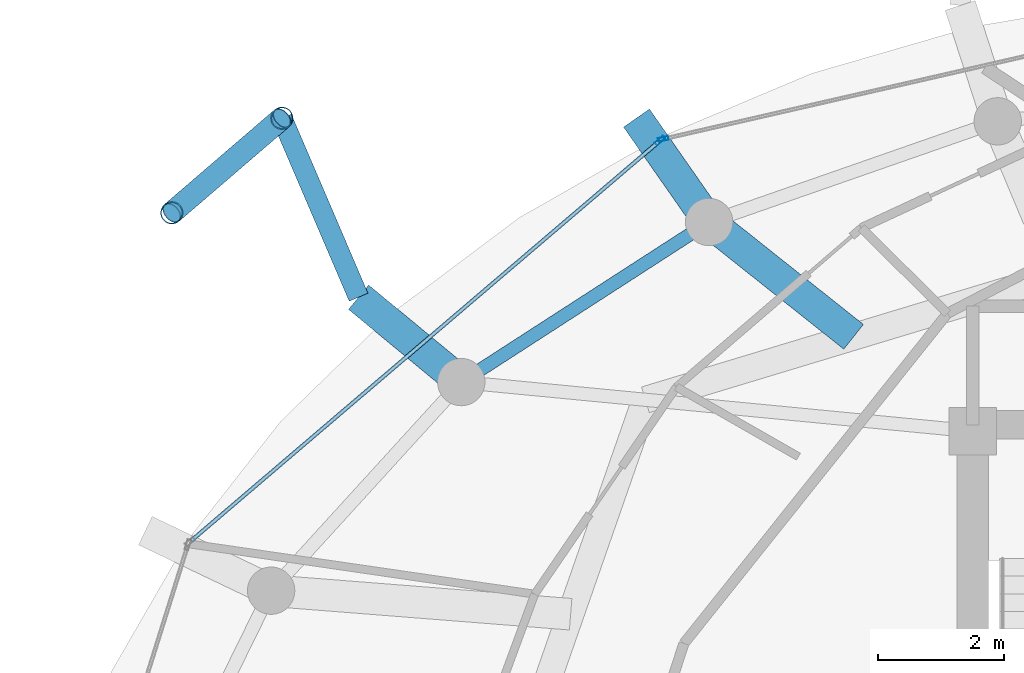
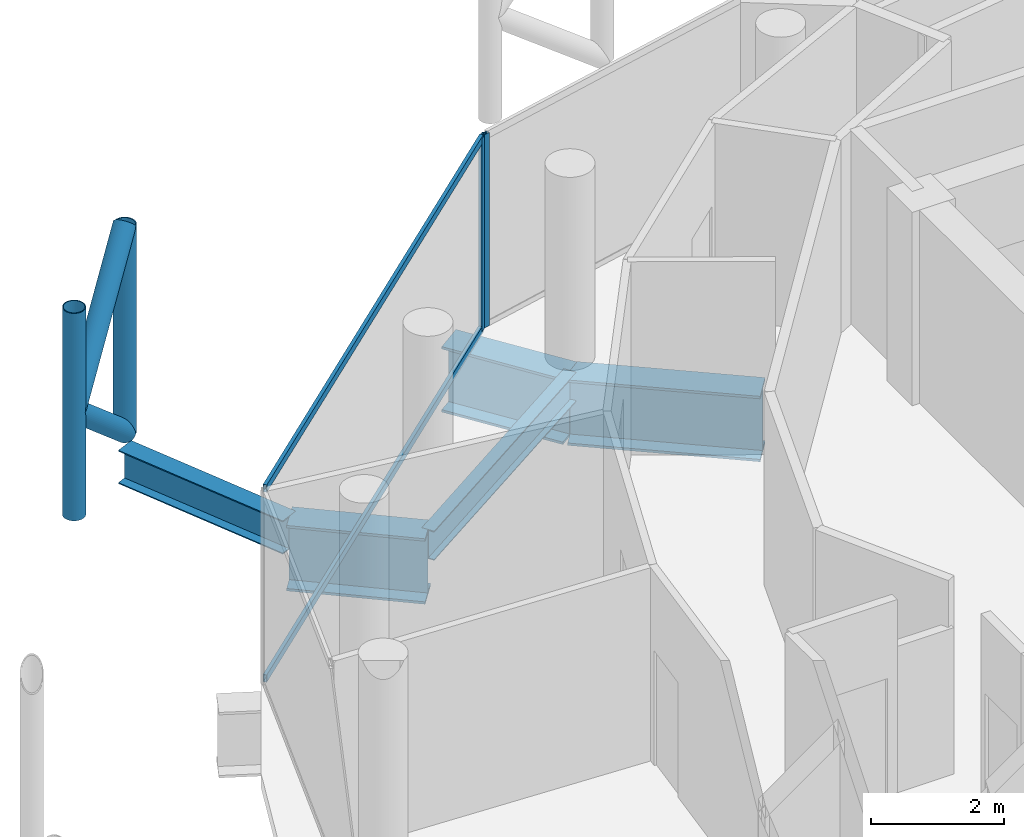
# One storey, part 16 of 25: 8 members, 5 beams, 2 elements without a shape of their own.
"""IFC4 building model written with IfcOpenShell, lengths in metres."""

import ifcopenshell
import ifcopenshell.guid

model = None  # the IFC model being written
_history = None  # IfcOwnerHistory: only IFC2X3 demands one
_inside = {}  # id of a spatial element -> (the spatial element, [elements in it])
_under = {}  # id of a project, library or spatial element -> (it, [spatial elements below it])
_declared = {}  # id of a project -> (the project, [libraries it declares])
_typed = {}  # id of a type object -> (the type object, [elements of that type])
_made_of = {}  # id of a material, layer set ... -> (it, [elements and type objects made of it])


def new_model(schema):
    """Start an empty IFC model of exactly this schema.

    Asked for "IFC4X3", IfcOpenShell would pick the latest addendum, in which some entities
    have other attributes; the version numbers below select the first issue.
    IFC2X3 requires an IfcOwnerHistory on every rooted entity: one is made here for all.
    """
    global model, _history
    if schema == "IFC4X3":
        model = ifcopenshell.file(schema_version=(4, 3, 0, 0))
    else:
        model = ifcopenshell.file(schema=schema)
    _inside.clear()
    _under.clear()
    _declared.clear()
    _typed.clear()
    _made_of.clear()
    _history = None
    if model.schema == "IFC2X3":
        org = make("IfcOrganization", Name="unknown")
        user = make(
            "IfcPersonAndOrganization",
            ThePerson=make("IfcPerson", FamilyName="unknown"),
            TheOrganization=org,
        )
        app = make(
            "IfcApplication",
            ApplicationDeveloper=org,
            Version="unknown",
            ApplicationFullName="unknown",
            ApplicationIdentifier="unknown",
        )
        _history = make(
            "IfcOwnerHistory",
            OwningUser=user,
            OwningApplication=app,
            ChangeAction="ADDED",
            CreationDate=0,
        )
    return model


def make(cls, **values):
    """One entity of the class cls with the attributes given. An attribute that is None is left unset."""
    return model.create_entity(
        cls, **{name: value for name, value in values.items() if value is not None}
    )


def rooted(cls, **values):
    """An entity with a GlobalId (a new one), such as an element, a storey or a relation."""
    return make(cls, GlobalId=ifcopenshell.guid.new(), OwnerHistory=_history, **values)


def si_unit(unit_type, name, prefix=None):
    """IfcSIUnit, for example si_unit("LENGTHUNIT", "METRE", prefix="MILLI")."""
    return make("IfcSIUnit", UnitType=unit_type, Prefix=prefix, Name=name)


def assignment(units):
    """IfcUnitAssignment: the units of a project."""
    return None if units is None else make("IfcUnitAssignment", Units=units)


def point(xyz):
    """IfcCartesianPoint."""
    return None if xyz is None else make("IfcCartesianPoint", Coordinates=xyz)


def direction(xyz):
    """IfcDirection."""
    return None if xyz is None else make("IfcDirection", DirectionRatios=xyz)


def frame(location, z_axis=None, x_axis=None):
    """IfcAxis2Placement3D, a coordinate frame: its origin and axes. An axis left out is left unset."""
    return make(
        "IfcAxis2Placement3D",
        Location=point(location),
        Axis=direction(z_axis),
        RefDirection=direction(x_axis),
    )


def frame_2d(location, x_axis=None):
    """IfcAxis2Placement2D, a coordinate frame in the plane: its origin and x axis."""
    return make(
        "IfcAxis2Placement2D", Location=point(location), RefDirection=direction(x_axis)
    )


def origin():
    """The frame at (0, 0, 0) with its axes left unset."""
    return frame((0.0, 0.0, 0.0))


def origin_2d():
    """The frame at (0, 0) in the plane with its x axis left unset."""
    return frame_2d((0.0, 0.0))


def place(relative_to, where):
    """IfcLocalPlacement: puts the frame where relative to a parent placement (None: the world)."""
    return make(
        "IfcLocalPlacement", PlacementRelTo=relative_to, RelativePlacement=where
    )


def context(
    kind, dimensions, precision=None, world=None, true_north=None, identifier=None
):
    """IfcGeometricRepresentationContext, for example the 3D "Model" context."""
    return make(
        "IfcGeometricRepresentationContext",
        ContextIdentifier=identifier,
        ContextType=kind,
        CoordinateSpaceDimension=dimensions,
        Precision=precision,
        WorldCoordinateSystem=world,
        TrueNorth=true_north,
    )


def subcontext(parent, identifier, kind, view, scale=None):
    """IfcGeometricRepresentationSubContext, for example "Body" below "Model"."""
    return make(
        "IfcGeometricRepresentationSubContext",
        ContextIdentifier=identifier,
        ContextType=kind,
        ParentContext=parent,
        TargetScale=scale,
        TargetView=view,
    )


def project(units=None, contexts=None):
    """IfcProject with its units and contexts."""
    return rooted(
        "IfcProject",
        Name="project",
        RepresentationContexts=contexts,
        UnitsInContext=assignment(units),
    )


def spatial(cls, under=None, at=None, **own):
    """A site, building, storey or space (cls), placed at a placement, below another one or the project."""
    s = rooted(cls, ObjectPlacement=at, **own)
    if under is not None:
        _under.setdefault(under.id(), (under, []))[1].append(s)
    return s


def profile(cls, at=None, kind="AREA", **sizes):
    """A parametric profile (cls). Its sizes go by their IFC names, for example OverallWidth=200.0."""
    return make(cls, ProfileType=kind, Position=at, **sizes)


def hollow_rectangle(**sizes):
    """IfcRectangleHollowProfileDef."""
    return profile("IfcRectangleHollowProfileDef", **sizes)


def hollow_circle(**sizes):
    """IfcCircleHollowProfileDef."""
    return profile("IfcCircleHollowProfileDef", **sizes)


def i_section(**sizes):
    """IfcIShapeProfileDef."""
    return profile("IfcIShapeProfileDef", **sizes)


def extrude(swept, where, along, depth):
    """IfcExtrudedAreaSolid: the profile swept, set in the frame where, extruded along a direction by depth."""
    return make(
        "IfcExtrudedAreaSolid",
        SweptArea=swept,
        Position=where,
        ExtrudedDirection=direction(along),
        Depth=depth,
    )


def shape(context_of_items, identifier, shape_type, items):
    """IfcShapeRepresentation: the items that make up one representation, for example the "Body"."""
    return make(
        "IfcShapeRepresentation",
        ContextOfItems=context_of_items,
        RepresentationIdentifier=identifier,
        RepresentationType=shape_type,
        Items=items,
    )


def material(Name=None, Category=None):
    """IfcMaterial."""
    return make("IfcMaterial", Name=Name, Category=Category)


def layer(
    of_material, thickness, ventilated=None, Name=None, Category=None, Priority=None
):
    """IfcMaterialLayer: one layer of a wall or slab, of a material (None: an air gap)."""
    return make(
        "IfcMaterialLayer",
        Material=of_material,
        LayerThickness=thickness,
        IsVentilated=ventilated,
        Name=Name,
        Category=Category,
        Priority=Priority,
    )


def layer_set(layers, Name=None):
    """IfcMaterialLayerSet."""
    return make("IfcMaterialLayerSet", MaterialLayers=layers, LayerSetName=Name)


def material_profile(
    of_material, cross_section, Name=None, Category=None, Priority=None
):
    """IfcMaterialProfile: a cross section and its material."""
    return make(
        "IfcMaterialProfile",
        Name=Name,
        Material=of_material,
        Profile=cross_section,
        Priority=Priority,
        Category=Category,
    )


def profile_set(profiles, Name=None, composite=None):
    """IfcMaterialProfileSet."""
    return make(
        "IfcMaterialProfileSet",
        Name=Name,
        MaterialProfiles=profiles,
        CompositeProfile=composite,
    )


def made_of(thing, what):
    """Note that an element or type object is made of a material, layer set ...; save() writes the relation."""
    if what is not None:
        _made_of.setdefault(what.id(), (what, []))[1].append(thing)
    return thing


def type_object(cls, material=None, **own):
    """A type object (cls), such as IfcWallType, which elements share."""
    return made_of(rooted(cls, **own), material)


def element(
    cls,
    number,
    at=None,
    inside=None,
    cuts=None,
    type_object=None,
    material=None,
    context=None,
    identifier="Body",
    shape_type=None,
    held_by="IfcProductDefinitionShape",
    body=None,
    shapes=None,
    **own,
):
    """One element of the class cls, such as IfcWall. Its Tag is "e" and its number.

    at: its placement. inside: the storey or other place that contains it. cuts: it is an
    opening in that element (IfcRelVoidsElement). A single representation is given by context,
    identifier, shape_type and body (its items); several are given by shapes. held_by: the class
    of the entity that holds the representations. save() writes the other relations.
    """
    e = rooted(cls, Tag="e%d" % number, ObjectPlacement=at, **own)
    if body is not None:
        shapes = [shape(context, identifier, shape_type, body)]
    if shapes is not None:
        e.Representation = make(held_by, Representations=shapes)
    if inside is not None:
        _inside.setdefault(inside.id(), (inside, []))[1].append(e)
    if cuts is not None:
        rooted(
            "IfcRelVoidsElement", RelatingBuildingElement=cuts, RelatedOpeningElement=e
        )
    if type_object is not None:
        _typed.setdefault(type_object.id(), (type_object, []))[1].append(e)
    return made_of(e, material)


def aggregate(whole, parts):
    """IfcRelAggregates: a whole, such as a stair, and the parts it consists of."""
    return rooted("IfcRelAggregates", RelatingObject=whole, RelatedObjects=parts)


def save(model, path):
    """Write the relations noted so far, then the file.

    IfcRelAggregates (storeys below a building ...), IfcRelContainedInSpatialStructure (elements
    in a storey), IfcRelDefinesByType, IfcRelAssociatesMaterial and IfcRelDeclares: one each for
    every whole, place, type object, material and project.
    """
    for whole, parts in _under.values():
        aggregate(whole, parts)
    for where, things in _inside.values():
        rooted(
            "IfcRelContainedInSpatialStructure",
            RelatedElements=things,
            RelatingStructure=where,
        )
    for kind, things in _typed.values():
        rooted("IfcRelDefinesByType", RelatedObjects=things, RelatingType=kind)
    for what, things in _made_of.values():
        rooted("IfcRelAssociatesMaterial", RelatedObjects=things, RelatingMaterial=what)
    for by, libraries in _declared.values():
        rooted("IfcRelDeclares", RelatingContext=by, RelatedDefinitions=libraries)
    model.write(path)


model = new_model("IFC4")

# Units and contexts
model_context = context("Model", 3, precision=1e-05, world=origin(), true_north=direction((0.0, 1.0)))
body_context = subcontext(model_context, "Body", "Model", "MODEL_VIEW")
ifc_project = project(units=[si_unit("LENGTHUNIT", "METRE"), si_unit("AREAUNIT", "SQUARE_METRE"), si_unit("VOLUMEUNIT", "CUBIC_METRE"), si_unit("PLANEANGLEUNIT", "RADIAN"), si_unit("MASSUNIT", "GRAM", prefix="KILO")], contexts=[model_context])

# Site, building, storey
site_placement = place(None, origin())
site = spatial("IfcSite", under=ifc_project, at=site_placement, CompositionType="ELEMENT")
building_placement = place(site_placement, origin())
building = spatial("IfcBuilding", under=site, at=building_placement, Name="Nuhasar Tower", CompositionType="ELEMENT")
storey_placement = place(building_placement, frame((0.0, 0.0, 255.60009765625)))
storey = spatial("IfcBuildingStorey", under=building, at=storey_placement, Name="L63", CompositionType="ELEMENT", Elevation=255.60009765625)

# Beams
ifc_material_1 = material(Name="Steel S355", Category="steel")
ifc_material_profile_1 = material_profile(ifc_material_1, i_section(OverallWidth=0.2099609375, OverallDepth=0.537109375, WebThickness=0.010986328125, FlangeThickness=0.017333984375, at=origin_2d()), Name="W21X68")
ifc_profile_set_1 = profile_set([ifc_material_profile_1], Name="Steel S355")
beam_type_1 = type_object("IfcBeamType", Name="BM-RING-W21X68", PredefinedType="SPANDREL", material=ifc_profile_set_1)
beam_1_placement = place(storey_placement, frame((29.52490234375, 40.613037109375, -0.528076171875), z_axis=(-0.840001671147, -0.54258381147, 0.0), x_axis=(0.54258381147, -0.840001671147, 0.0)))
element("IfcBeam", 1, at=beam_1_placement, inside=storey, type_object=beam_type_1, Name="L63 Perimeter Ring Spandrel 09", PredefinedType="SPANDREL", context=body_context, shape_type="SweptSolid", body=[
    extrude(i_section(OverallWidth=0.2099609375, OverallDepth=0.537109375, WebThickness=0.010986328125, FlangeThickness=0.017333984375, at=origin_2d()), origin(), (0.0, 0.0, 1.0), 4.67236328125),
])
ifc_material_profile_2 = material_profile(ifc_material_1, i_section(OverallWidth=0.323974609375, OverallDepth=0.611083984375, WebThickness=0.0126953125, FlangeThickness=0.01904296875, at=origin_2d()), Name="W24X104")
ifc_profile_set_2 = profile_set([ifc_material_profile_2], Name="Steel S355")
beam_type_2 = type_object("IfcBeamType", Name="BM-TIE-W24X104", PredefinedType="BEAM", material=ifc_profile_set_2)
beam_2_placement = place(storey_placement, frame((23.97412109375, 39.422119140625, -0.565185546875), z_axis=(-0.393680429682, 0.919247365667, 0.0), x_axis=(-0.919247365667, -0.393680429682, 0.0)))
element("IfcBeam", 2, at=beam_2_placement, inside=storey, type_object=beam_type_2, Name="L63 Exoskeleton Node Tie Beam 05", PredefinedType="BEAM", context=body_context, shape_type="SweptSolid", body=[
    extrude(i_section(OverallWidth=0.323974609375, OverallDepth=0.611083984375, WebThickness=0.0126953125, FlangeThickness=0.01904296875, at=origin_2d()), origin(), (0.0, 0.0, 1.0), 3.083984375),
])
ifc_material_2 = material(Name="Steel S460", Category="steel")
ifc_material_profile_3 = material_profile(ifc_material_2, i_section(OverallWidth=0.5, OverallDepth=1.199951171875, WebThickness=0.02587890625, FlangeThickness=0.044921875, at=origin_2d()), Name="PG1200X500")
ifc_profile_set_3 = profile_set([ifc_material_profile_3], Name="Steel S460")
beam_type_3 = type_object("IfcBeamType", Name="BM-XFER-PG1200", PredefinedType="USERDEFINED", material=ifc_profile_set_3)
beam_3_placement = place(storey_placement, frame((25.60009765625, 38.077880859375, -0.860107421875), z_axis=(-0.770719586417, 0.637174480903, 0.0), x_axis=(-0.637174480903, -0.770719586417, 0.0)))
element("IfcBeam", 3, at=beam_3_placement, inside=storey, type_object=beam_type_3, Name="L63 Radial Step Transfer Girder 07", ObjectType="GIRDER", PredefinedType="USERDEFINED", context=body_context, shape_type="SweptSolid", body=[
    extrude(i_section(OverallWidth=0.5, OverallDepth=1.199951171875, WebThickness=0.02587890625, FlangeThickness=0.044921875, at=origin_2d()), origin(), (0.0, 0.0, 1.0), 2.109619140625),
])
beam_4_placement = place(storey_placement, frame((31.81298828125, 38.794921875, -0.860107421875), z_axis=(-0.782926540051, 0.622114163867, 0.0), x_axis=(-0.622114163867, -0.782926540051, 0.0)))
element("IfcBeam", 4, at=beam_4_placement, inside=storey, type_object=beam_type_3, Name="L63 Inner Column Transfer Girder 09", ObjectType="GIRDER", PredefinedType="USERDEFINED", context=body_context, shape_type="SweptSolid", body=[
    extrude(i_section(OverallWidth=0.5, OverallDepth=1.199951171875, WebThickness=0.02587890625, FlangeThickness=0.044921875, at=origin_2d()), origin(), (0.0, 0.0, 1.0), 2.92236328125),
])
beam_5_placement = place(storey_placement, frame((29.52490234375, 40.613037109375, -0.860107421875), z_axis=(-0.57269500694, 0.819768521612, 0.0), x_axis=(-0.819768521612, -0.57269500694, 0.0)))
element("IfcBeam", 5, at=beam_5_placement, inside=storey, type_object=beam_type_3, Name="L63 Outer Column Step Transfer Girder 09", ObjectType="GIRDER", PredefinedType="USERDEFINED", context=body_context, shape_type="SweptSolid", body=[
    extrude(i_section(OverallWidth=0.5, OverallDepth=1.199951171875, WebThickness=0.02587890625, FlangeThickness=0.044921875, at=origin_2d()), origin(), (0.0, 0.0, 1.0), 2.0078125),
])

# Curtain wall, member
ifc_material_3 = material(Name="Aluminium 6063-T6", Category="aluminium")
ifc_layer = layer(ifc_material_3, 0.18994140625)
ifc_layer_set = layer_set([ifc_layer], Name="Aluminium 6063-T6")
curtain_wall_type = type_object("IfcCurtainWallType", Name="CW-Z4-PEN", PredefinedType="NOTDEFINED", material=ifc_layer_set)
curtain_wall_1_placement = place(storey_placement, origin())
curtain_wall_1 = element("IfcCurtainWall", 6, at=curtain_wall_1_placement, inside=storey, type_object=curtain_wall_type, Name="L63 Unitised Curtain Wall 04", PredefinedType="NOTDEFINED")
ifc_material_profile_4 = material_profile(ifc_material_3, hollow_rectangle(XDim=0.06005859375, YDim=0.1650390625, WallThickness=0.0048828125, at=origin_2d()), Name="CWM-5")
ifc_profile_set_4 = profile_set([ifc_material_profile_4], Name="Aluminium 6063-T6")
member_type_1 = type_object("IfcMemberType", Name="CW-MUL-S5", PredefinedType="MULLION", material=ifc_profile_set_4)
member_1_placement = place(storey_placement, frame((28.79931640625, 41.927734375, 0.0), z_axis=(0.0, 0.0, 1.0), x_axis=(0.222889487645, -0.97484371891, 0.0)))
member_1 = element("IfcMember", 7, at=member_1_placement, type_object=member_type_1, Name="CW-Z4 mullion 2", PredefinedType="MULLION", context=body_context, shape_type="SweptSolid", body=[
    extrude(hollow_rectangle(XDim=0.06005859375, YDim=0.1650390625, WallThickness=0.0048828125, at=origin_2d()), origin(), (0.0, 0.0, 1.0), 3.539794921875),
])
aggregate(curtain_wall_1, [member_1])

# Curtain wall, members
curtain_wall_2_placement = place(storey_placement, origin())
curtain_wall_2 = element("IfcCurtainWall", 8, at=curtain_wall_2_placement, inside=storey, type_object=curtain_wall_type, Name="L63 Unitised Curtain Wall 05", PredefinedType="NOTDEFINED")
member_2_placement = place(storey_placement, frame((28.7470703125, 41.901611328125, 0.0), z_axis=(0.0, 0.0, 1.0), x_axis=(0.649141996205, -0.760667252327, 0.0)))
member_2 = element("IfcMember", 9, at=member_2_placement, type_object=member_type_1, Name="CW-Z4 mullion 1", PredefinedType="MULLION", context=body_context, shape_type="SweptSolid", body=[
    extrude(hollow_rectangle(XDim=0.06005859375, YDim=0.1650390625, WallThickness=0.0048828125, at=origin_2d()), origin(), (0.0, 0.0, 1.0), 3.539794921875),
])
ifc_material_profile_5 = material_profile(ifc_material_3, hollow_rectangle(XDim=0.06005859375, YDim=0.135009765625, WallThickness=0.00439453125, at=origin_2d()), Name="CWT-5")
ifc_profile_set_5 = profile_set([ifc_material_profile_5], Name="Aluminium 6063-T6")
member_type_2 = type_object("IfcMemberType", Name="CW-TRN-S5", PredefinedType="USERDEFINED", material=ifc_profile_set_5)
member_3_placement = place(storey_placement, frame((28.724365234375, 41.882080078125, 0.02978515625), z_axis=(-0.760660035709, -0.649150452573, 0.0), x_axis=(0.649150452573, -0.760660035709, 0.0)))
member_3 = element("IfcMember", 10, at=member_3_placement, type_object=member_type_2, Name="CW-Z4 transom 1.1", ObjectType="TRANSOM", PredefinedType="USERDEFINED", context=body_context, shape_type="SweptSolid", body=[
    extrude(hollow_rectangle(XDim=0.06005859375, YDim=0.135009765625, WallThickness=0.00439453125, at=origin_2d()), origin(), (0.0, 0.0, 1.0), 9.725341796875),
])
member_4_placement = place(storey_placement, frame((28.724365234375, 41.882080078125, 3.510009765625), z_axis=(-0.760660035709, -0.649150452573, 0.0), x_axis=(0.649150452573, -0.760660035709, 0.0)))
member_4 = element("IfcMember", 11, at=member_4_placement, type_object=member_type_2, Name="CW-Z4 transom 1.2", ObjectType="TRANSOM", PredefinedType="USERDEFINED", context=body_context, shape_type="SweptSolid", body=[
    extrude(hollow_rectangle(XDim=0.06005859375, YDim=0.135009765625, WallThickness=0.00439453125, at=origin_2d()), origin(), (0.0, 0.0, 1.0), 9.725341796875),
])
aggregate(curtain_wall_2, [member_2, member_3, member_4])

# Members
ifc_material_profile_6 = material_profile(ifc_material_2, hollow_circle(Radius=0.177734375, WallThickness=0.015869140625, at=origin_2d()), Name="HSS355.6X15.9")
ifc_profile_set_6 = profile_set([ifc_material_profile_6], Name="Steel S460")
member_type_3 = type_object("IfcMemberType", Name="EXO-BRONZE-356", PredefinedType="BRACE", material=ifc_profile_set_6)
for number, where, z_axis, x_axis, name in (
    (12, (22.760009765625, 42.257080078125, 0.0), (0.0, 0.0, 1.0), (1.0, 0.0, 0.0), "L63 Exoskeleton Chord Column EC-05A"),
    (13, (21.01611328125, 40.758056640625, 0.0), (0.0, 0.0, 1.0), (1.0, 0.0, 0.0), "L63 Exoskeleton Chord Column EC-05B"),
):
    element("IfcMember", number, at=place(storey_placement, frame(where, z_axis=z_axis, x_axis=x_axis)), inside=storey, type_object=member_type_3, Name=name, PredefinedType="BRACE", context=body_context, shape_type="SweptSolid", body=[
        extrude(hollow_circle(Radius=0.177734375, WallThickness=0.015869140625, at=origin_2d()), origin(), (0.0, 0.0, 1.0), 3.7998046875),
    ])
for number, where, z_axis, x_axis, name in (
    (14, (22.760009765625, 42.257080078125, 0.0), (-0.584625223306, -0.502533791278, 0.636924749792), (0.65185738425, -0.758341579104, 0.0), "L63 Bronze Diagrid Brace W1-05"),
    (15, (21.01611328125, 40.758056640625, 1.89990234375), (0.584625223306, 0.502533791278, 0.636924749792), (-0.65185738425, 0.758341579104, 0.0), "L63 Bronze Diagrid Brace W2-05"),
):
    element("IfcMember", number, at=place(storey_placement, frame(where, z_axis=z_axis, x_axis=x_axis)), inside=storey, type_object=member_type_3, Name=name, PredefinedType="BRACE", context=body_context, shape_type="SweptSolid", body=[
        extrude(hollow_circle(Radius=0.177734375, WallThickness=0.015869140625, at=origin_2d()), origin(), (0.0, 0.0, 1.0), 2.98291015625),
    ])

save(model, "model.ifc")
